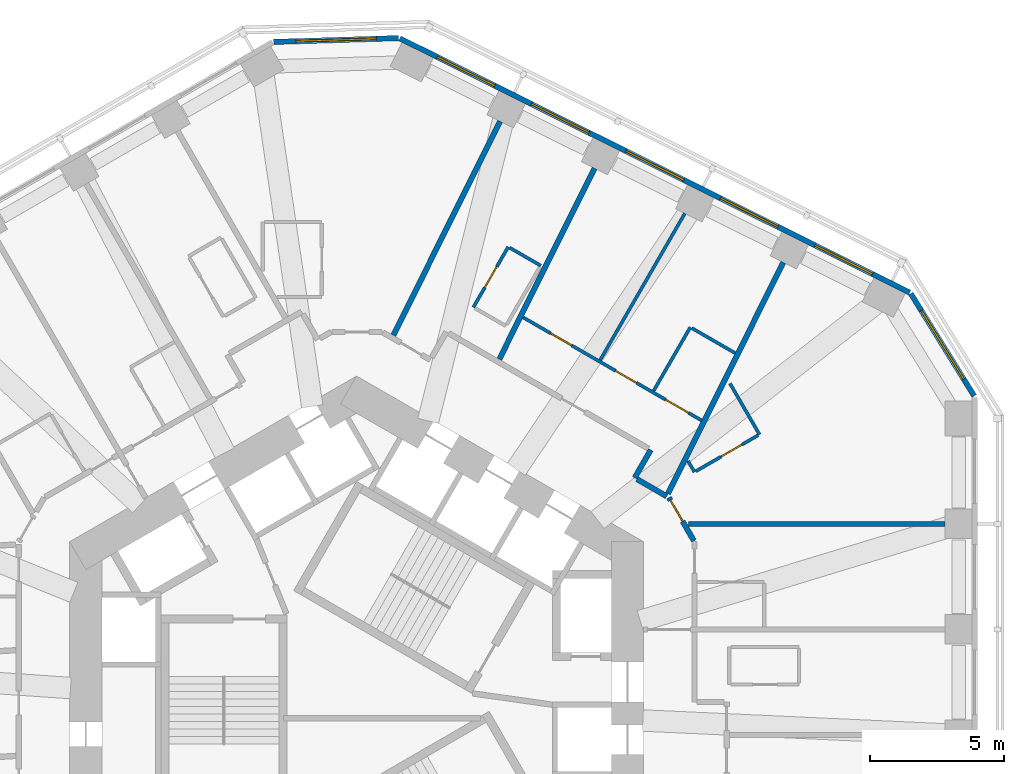
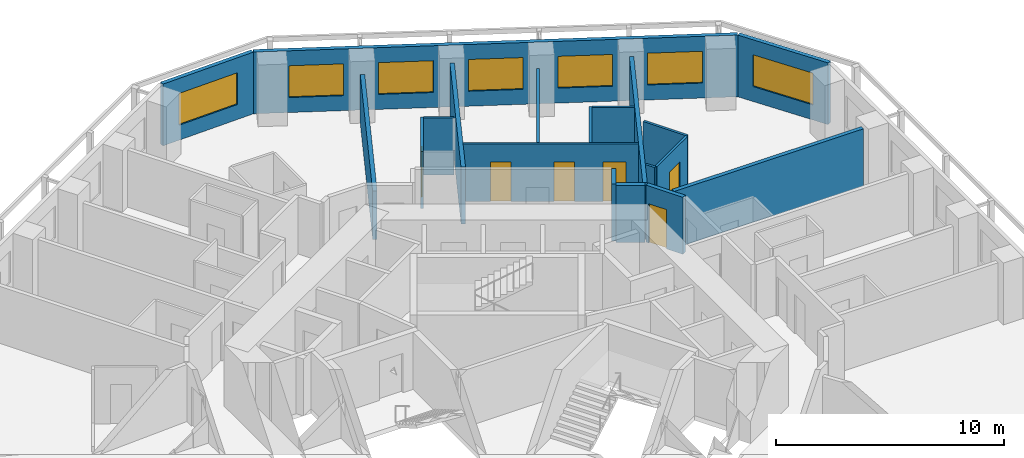
# One storey, part 9 of 12: 19 walls, 7 windows, 6 doors, 13 openings.
"""IFC4 building model written with IfcOpenShell, lengths in metres."""

from ifc_helpers import new_model, si_unit, direction, frame, frame_2d, origin, place, context, subcontext, project, spatial, rectangle, extrude, material, layer, layer_set, type_object, element, fill, save


model = new_model("IFC4")

# Units and contexts
model_context = context("Model", 3, precision=1e-05, world=origin(), true_north=direction((0.0, 1.0)))
body_context = subcontext(model_context, "Body", "Model", "MODEL_VIEW")
ifc_project = project(units=[si_unit("LENGTHUNIT", "METRE"), si_unit("AREAUNIT", "SQUARE_METRE"), si_unit("VOLUMEUNIT", "CUBIC_METRE"), si_unit("PLANEANGLEUNIT", "RADIAN"), si_unit("MASSUNIT", "GRAM", prefix="KILO")], contexts=[model_context])

# Site, building, storey
site_placement = place(None, origin())
site = spatial("IfcSite", under=ifc_project, at=site_placement, CompositionType="ELEMENT")
building_placement = place(site_placement, origin())
building = spatial("IfcBuilding", under=site, at=building_placement, Name="Vanh Sen Convention Tower", CompositionType="ELEMENT")
storey_placement = place(building_placement, frame((0.0, 0.0, 93.5)))
storey = spatial("IfcBuildingStorey", under=building, at=storey_placement, Name="L21", CompositionType="ELEMENT", Elevation=93.5)

# Wall, opening, door
ifc_material_1 = material(Name="Moisture-resistant gypsum board on steel studs", Category="steel")
ifc_layer_1 = layer(ifc_material_1, 0.1201171875)
ifc_layer_set_1 = layer_set([ifc_layer_1], Name="Moisture-resistant gypsum board on steel studs")
wall_type_1 = type_object("IfcWallType", Name="Bathroom partition 120", PredefinedType="PARTITIONING", material=ifc_layer_set_1)
wall_1_placement = place(storey_placement, frame((4.356201171875, 14.922119140625, 0.0), z_axis=(0.0, 0.0, 1.0), x_axis=(0.499936506574, 0.866062058628, 0.0)))
wall_1 = element("IfcWall", 1, at=wall_1_placement, inside=storey, type_object=wall_type_1, Name="Bathroom partition 120", PredefinedType="PARTITIONING", context=body_context, shape_type="SweptSolid", body=[
    extrude(rectangle(XDim=2.599853515625, YDim=0.1201171875, at=frame_2d((1.2998046875, 0.0))), origin(), (0.0, 0.0, 1.0), 3.050048828125),
])
opening_1_placement = place(wall_1_placement, frame((0.85009765625, 0.0, 0.0)))
opening_1 = element("IfcOpeningElement", 2, at=opening_1_placement, cuts=wall_1, Name="Opening D19114", PredefinedType="OPENING", context=body_context, shape_type="SweptSolid", body=[
    extrude(rectangle(XDim=0.89990234375, YDim=2.10009765625, at=frame_2d((0.449951171875, 1.050048828125))), frame((0.0, 0.070068359375, 0.0), z_axis=(0.0, -1.0, 0.0), x_axis=(1.0, 0.0, 0.0)), (0.0, 0.0, 1.0), 0.14013671875),
])
ifc_material_2 = material(Name="Laminate door in steel frame", Category="steel")
door_type_1 = type_object("IfcDoorType", Name="En-suite door 900", OperationType="SINGLE_SWING_LEFT", PredefinedType="DOOR", material=ifc_material_2)
door_1_placement = place(opening_1_placement, origin())
door_1 = element("IfcDoor", 3, at=door_1_placement, inside=storey, type_object=door_type_1, Name="En-suite door D19114", OperationType="SINGLE_SWING_LEFT", OverallHeight=2.10009765625, OverallWidth=0.89990234375, PredefinedType="DOOR", context=body_context, shape_type="SweptSolid", body=[
    extrude(rectangle(XDim=0.89990234375, YDim=2.10009765625, at=frame_2d((0.449951171875, 1.050048828125))), frame((0.0, 0.02490234375, 0.0), z_axis=(0.0, -1.0, 0.0), x_axis=(1.0, 0.0, 0.0)), (0.0, 0.0, 1.0), 0.050048828125),
])
fill(opening_1, door_1)

# Walls
wall_2_placement = place(storey_placement, frame((5.7080078125, 17.143798828125, 0.0), z_axis=(0.0, 0.0, 1.0), x_axis=(0.866082447003, -0.499901185229, 0.0)))
element("IfcWall", 4, at=wall_2_placement, inside=storey, type_object=wall_type_1, Name="Bathroom partition 120", PredefinedType="PARTITIONING", context=body_context, shape_type="SweptSolid", body=[
    extrude(rectangle(XDim=1.340087890625, YDim=0.1201171875, at=frame_2d((0.669921875, 0.0))), origin(), (0.0, 0.0, 1.0), 3.050048828125),
])
wall_3_placement = place(storey_placement, frame((12.2431640625, 18.422607421875, 0.0), z_axis=(0.0, 0.0, 1.0), x_axis=(-0.499993523031, -0.866029143232, 0.0)))
element("IfcWall", 5, at=wall_3_placement, inside=storey, type_object=wall_type_1, Name="Bathroom partition 120", PredefinedType="PARTITIONING", context=body_context, shape_type="SweptSolid", body=[
    extrude(rectangle(XDim=6.31494140625, YDim=0.1201171875, at=frame_2d((3.157470703125, 0.0))), origin(), (0.0, 0.0, 1.0), 2.60009765625),
])
wall_4_placement = place(storey_placement, frame((12.447509765625, 14.176513671875, 0.0), z_axis=(0.0, 0.0, 1.0), x_axis=(-0.500048966069, -0.865997131366, 0.0)))
element("IfcWall", 6, at=wall_4_placement, inside=storey, type_object=wall_type_1, Name="Bathroom partition 120", PredefinedType="PARTITIONING", context=body_context, shape_type="SweptSolid", body=[
    extrude(rectangle(XDim=2.739990234375, YDim=0.1201171875, at=frame_2d((1.3701171875, 0.0))), origin(), (0.0, 0.0, 1.0), 3.050048828125),
])
wall_5_placement = place(storey_placement, frame((12.600830078125, 8.776123046875, 0.0), z_axis=(0.0, 0.0, 1.0), x_axis=(-0.500166486798, 0.865929261247, 0.0)))
element("IfcWall", 7, at=wall_5_placement, inside=storey, type_object=wall_type_1, Name="Bathroom partition 120", PredefinedType="PARTITIONING", context=body_context, shape_type="SweptSolid", body=[
    extrude(rectangle(XDim=0.475830078125, YDim=0.1201171875, at=frame_2d((0.23779296875, 0.0))), origin(), (0.0, 0.0, 1.0), 3.050048828125),
])

# Wall, openings, doors
wall_6_placement = place(storey_placement, frame((12.8662109375, 10.70166015625, 0.0), z_axis=(0.0, 0.0, 1.0), x_axis=(-0.866023151433, 0.500003901167, 0.0)))
wall_6 = element("IfcWall", 8, at=wall_6_placement, inside=storey, type_object=wall_type_1, Name="Bathroom partition 120", PredefinedType="PARTITIONING", context=body_context, shape_type="SweptSolid", body=[
    extrude(rectangle(XDim=7.68408203125, YDim=0.1201171875, at=frame_2d((3.842041015625, 0.0))), origin(), (0.0, 0.0, 1.0), 3.050048828125),
])
opening_2_placement = place(wall_6_placement, frame((0.550048828125, 0.0, 0.0)))
opening_2 = element("IfcOpeningElement", 9, at=opening_2_placement, cuts=wall_6, Name="Opening D19110", PredefinedType="OPENING", context=body_context, shape_type="SweptSolid", body=[
    extrude(rectangle(XDim=1.0, YDim=2.10009765625, at=frame_2d((0.5, 1.050048828125))), frame((0.0, 0.070068359375, 0.0), z_axis=(0.0, -1.0, 0.0), x_axis=(1.0, 0.0, 0.0)), (0.0, 0.0, 1.0), 0.14013671875),
])
opening_3_placement = place(wall_6_placement, frame((2.800048828125, 0.0, 0.0)))
opening_3 = element("IfcOpeningElement", 10, at=opening_3_placement, cuts=wall_6, Name="Opening D19111", PredefinedType="OPENING", context=body_context, shape_type="SweptSolid", body=[
    extrude(rectangle(XDim=0.89990234375, YDim=2.10009765625, at=frame_2d((0.449951171875, 1.050048828125))), frame((0.0, 0.070068359375, 0.0), z_axis=(0.0, -1.0, 0.0), x_axis=(1.0, 0.0, 0.0)), (0.0, 0.0, 1.0), 0.14013671875),
])
opening_4_placement = place(wall_6_placement, frame((5.592041015625, 0.0, 0.0)))
opening_4 = element("IfcOpeningElement", 11, at=opening_4_placement, cuts=wall_6, Name="Opening D19112", PredefinedType="OPENING", context=body_context, shape_type="SweptSolid", body=[
    extrude(rectangle(XDim=0.89990234375, YDim=2.10009765625, at=frame_2d((0.449951171875, 1.050048828125))), frame((0.0, 0.070068359375, 0.0), z_axis=(0.0, -1.0, 0.0), x_axis=(1.0, 0.0, 0.0)), (0.0, 0.0, 1.0), 0.14013671875),
])
door_type_2 = type_object("IfcDoorType", Name="Accessible WC door 1000", OperationType="SINGLE_SWING_LEFT", PredefinedType="DOOR", material=ifc_material_2)
door_2_placement = place(opening_2_placement, origin())
door_2 = element("IfcDoor", 12, at=door_2_placement, inside=storey, type_object=door_type_2, Name="Accessible WC door D19110", OperationType="SINGLE_SWING_LEFT", OverallHeight=2.10009765625, OverallWidth=1.0, PredefinedType="DOOR", context=body_context, shape_type="SweptSolid", body=[
    extrude(rectangle(XDim=1.0, YDim=2.10009765625, at=frame_2d((0.5, 1.050048828125))), frame((0.0, 0.02490234375, 0.0), z_axis=(0.0, -1.0, 0.0), x_axis=(1.0, 0.0, 0.0)), (0.0, 0.0, 1.0), 0.050048828125),
])
fill(opening_2, door_2)
door_type_3 = type_object("IfcDoorType", Name="Room internal door 900", OperationType="SINGLE_SWING_LEFT", PredefinedType="DOOR", material=ifc_material_2)
door_3_placement = place(opening_3_placement, origin())
door_3 = element("IfcDoor", 13, at=door_3_placement, inside=storey, type_object=door_type_3, Name="Internal room door D19111", OperationType="SINGLE_SWING_LEFT", OverallHeight=2.10009765625, OverallWidth=0.89990234375, PredefinedType="DOOR", context=body_context, shape_type="SweptSolid", body=[
    extrude(rectangle(XDim=0.89990234375, YDim=2.10009765625, at=frame_2d((0.449951171875, 1.050048828125))), frame((0.0, 0.02490234375, 0.0), z_axis=(0.0, -1.0, 0.0), x_axis=(1.0, 0.0, 0.0)), (0.0, 0.0, 1.0), 0.050048828125),
])
fill(opening_3, door_3)
door_4_placement = place(opening_4_placement, origin())
door_4 = element("IfcDoor", 14, at=door_4_placement, inside=storey, type_object=door_type_3, Name="Internal room door D19112", OperationType="SINGLE_SWING_LEFT", OverallHeight=2.10009765625, OverallWidth=0.89990234375, PredefinedType="DOOR", context=body_context, shape_type="SweptSolid", body=[
    extrude(rectangle(XDim=0.89990234375, YDim=2.10009765625, at=frame_2d((0.449951171875, 1.050048828125))), frame((0.0, 0.02490234375, 0.0), z_axis=(0.0, -1.0, 0.0), x_axis=(1.0, 0.0, 0.0)), (0.0, 0.0, 1.0), 0.050048828125),
])
fill(opening_4, door_4)

# Walls
wall_7_placement = place(storey_placement, frame((13.92578125, 12.081298828125, 0.0), z_axis=(0.0, 0.0, 1.0), x_axis=(0.499994660107, -0.866028486751, 0.0)))
element("IfcWall", 15, at=wall_7_placement, inside=storey, type_object=wall_type_1, Name="Bathroom partition 120", PredefinedType="PARTITIONING", context=body_context, shape_type="SweptSolid", body=[
    extrude(rectangle(XDim=2.19970703125, YDim=0.1201171875, at=frame_2d((1.099853515625, 0.0))), origin(), (0.0, 0.0, 1.0), 3.050048828125),
])
wall_8_placement = place(storey_placement, frame((14.117919921875, 13.212158203125, 0.0), z_axis=(0.0, 0.0, 1.0), x_axis=(-0.866039825209, 0.499975020527, 0.0)))
element("IfcWall", 16, at=wall_8_placement, inside=storey, type_object=wall_type_1, Name="Bathroom partition 120", PredefinedType="PARTITIONING", context=body_context, shape_type="SweptSolid", body=[
    extrude(rectangle(XDim=1.86865234375, YDim=0.1201171875, at=frame_2d((0.934326171875, 0.0))), origin(), (0.0, 0.0, 1.0), 3.050048828125),
])

# Wall, opening, door
wall_9_placement = place(storey_placement, frame((14.9736328125, 10.146240234375, 0.0), z_axis=(0.0, 0.0, 1.0), x_axis=(-0.86599746015, -0.500048396672, 0.0)))
wall_9 = element("IfcWall", 17, at=wall_9_placement, inside=storey, type_object=wall_type_1, Name="Bathroom partition 120", PredefinedType="PARTITIONING", context=body_context, shape_type="SweptSolid", body=[
    extrude(rectangle(XDim=2.679931640625, YDim=0.1201171875, at=frame_2d((1.33984375, 0.0))), origin(), (0.0, 0.0, 1.0), 3.050048828125),
])
opening_5_placement = place(wall_9_placement, frame((0.68994140625, 0.0, 0.0)))
opening_5 = element("IfcOpeningElement", 18, at=opening_5_placement, cuts=wall_9, Name="Opening D19108", PredefinedType="OPENING", context=body_context, shape_type="SweptSolid", body=[
    extrude(rectangle(XDim=0.89990234375, YDim=2.10009765625, at=frame_2d((0.449951171875, 1.050048828125))), frame((0.0, 0.070068359375, 0.0), z_axis=(0.0, -1.0, 0.0), x_axis=(1.0, 0.0, 0.0)), (0.0, 0.0, 1.0), 0.14013671875),
])
door_5_placement = place(opening_5_placement, origin())
door_5 = element("IfcDoor", 19, at=door_5_placement, inside=storey, type_object=door_type_1, Name="En-suite door D19108", OperationType="SINGLE_SWING_LEFT", OverallHeight=2.10009765625, OverallWidth=0.89990234375, PredefinedType="DOOR", context=body_context, shape_type="SweptSolid", body=[
    extrude(rectangle(XDim=0.89990234375, YDim=2.10009765625, at=frame_2d((0.449951171875, 1.050048828125))), frame((0.0, 0.02490234375, 0.0), z_axis=(0.0, -1.0, 0.0), x_axis=(1.0, 0.0, 0.0)), (0.0, 0.0, 1.0), 0.050048828125),
])
fill(opening_5, door_5)

# Walls
ifc_material_3 = material(Name="Gypsum board on steel studs with mineral wool", Category="steel")
ifc_layer_2 = layer(ifc_material_3, 0.199951171875)
ifc_layer_set_2 = layer_set([ifc_layer_2], Name="Gypsum board on steel studs with mineral wool")
wall_type_2 = type_object("IfcWallType", Name="Corridor partition wall 200", PredefinedType="PARTITIONING", material=ifc_layer_set_2)
wall_10_placement = place(storey_placement, frame((10.37109375, 8.561279296875, 0.0), z_axis=(0.0, 0.0, 1.0), x_axis=(0.499986357472, 0.866033280158, 0.0)))
element("IfcWall", 20, at=wall_10_placement, inside=storey, type_object=wall_type_2, Name="Corridor partition wall 200", PredefinedType="PARTITIONING", context=body_context, shape_type="SweptSolid", body=[
    extrude(rectangle(XDim=1.201171875, YDim=0.199951171875, at=frame_2d((0.6005859375, 0.0))), origin(), (0.0, 0.0, 1.0), 3.050048828125),
])
wall_11_placement = place(storey_placement, frame((11.56640625, 7.871337890625, 0.0), z_axis=(0.0, 0.0, 1.0), x_axis=(-0.866004557827, 0.500036104519, 0.0)))
element("IfcWall", 21, at=wall_11_placement, inside=storey, type_object=wall_type_2, Name="Corridor partition wall 200", PredefinedType="PARTITIONING", context=body_context, shape_type="SweptSolid", body=[
    extrude(rectangle(XDim=1.2802734375, YDim=0.199951171875, at=frame_2d((0.64013671875, 0.0))), origin(), (0.0, 0.0, 1.0), 3.050048828125),
])

# Wall, opening, door
wall_12_placement = place(storey_placement, frame((12.580078125, 6.212158203125, 0.0), z_axis=(0.0, 0.0, 1.0), x_axis=(-0.500063286585, 0.865988862174, 0.0)))
wall_12 = element("IfcWall", 22, at=wall_12_placement, inside=storey, type_object=wall_type_2, Name="Corridor partition wall 200", PredefinedType="PARTITIONING", context=body_context, shape_type="SweptSolid", body=[
    extrude(rectangle(XDim=1.860107421875, YDim=0.199951171875, at=frame_2d((0.93017578125, 0.0))), origin(), (0.0, 0.0, 1.0), 3.050048828125),
])
opening_6_placement = place(wall_12_placement, frame((0.841796875, 0.0, 0.0)))
opening_6 = element("IfcOpeningElement", 23, at=opening_6_placement, cuts=wall_12, Name="Opening D19107", PredefinedType="OPENING", context=body_context, shape_type="SweptSolid", body=[
    extrude(rectangle(XDim=0.89990234375, YDim=2.10009765625, at=frame_2d((0.449951171875, 1.050048828125))), frame((0.0, 0.10986328125, 0.0), z_axis=(0.0, -1.0, 0.0), x_axis=(1.0, 0.0, 0.0)), (0.0, 0.0, 1.0), 0.219970703125),
])
ifc_material_4 = material(Name="Timber fire door in steel frame", Category="steel")
door_type_4 = type_object("IfcDoorType", Name="Guest room door 900", OperationType="SINGLE_SWING_LEFT", PredefinedType="DOOR", material=ifc_material_4)
door_6_placement = place(opening_6_placement, origin())
door_6 = element("IfcDoor", 24, at=door_6_placement, inside=storey, type_object=door_type_4, Name="Hotel guest room door D19107", OperationType="SINGLE_SWING_LEFT", OverallHeight=2.10009765625, OverallWidth=0.89990234375, PredefinedType="DOOR", context=body_context, shape_type="SweptSolid", body=[
    extrude(rectangle(XDim=0.89990234375, YDim=2.10009765625, at=frame_2d((0.449951171875, 1.050048828125))), frame((0.0, 0.02490234375, 0.0), z_axis=(0.0, -1.0, 0.0), x_axis=(1.0, 0.0, 0.0)), (0.0, 0.0, 1.0), 0.050048828125),
])
fill(opening_6, door_6)

# Wall, opening, window
ifc_material_5 = material(Name="Insulated lightweight infill wall")
ifc_layer_3 = layer(ifc_material_5, 0.199951171875)
ifc_layer_set_3 = layer_set([ifc_layer_3], Name="Insulated lightweight infill wall")
wall_type_3 = type_object("IfcWallType", Name="External wall 200", PredefinedType="STANDARD", material=ifc_layer_set_3)
wall_13_placement = place(storey_placement, frame((23.034912109375, 11.612060546875, 0.0), z_axis=(0.0, 0.0, 1.0), x_axis=(-0.526160091227, 0.850385535155, 0.0)))
wall_13 = element("IfcWall", 25, at=wall_13_placement, inside=storey, type_object=wall_type_3, Name="External wall CH1 L21", PredefinedType="STANDARD", context=body_context, shape_type="SweptSolid", body=[
    extrude(rectangle(XDim=4.493896484375, YDim=0.199951171875, at=frame_2d((2.2470703125, 0.0))), origin(), (0.0, 0.0, 1.0), 3.300048828125),
])
opening_7_placement = place(wall_13_placement, frame((0.746826171875, 0.0, 0.800048828125)))
opening_7 = element("IfcOpeningElement", 26, at=opening_7_placement, cuts=wall_13, Name="Opening WH2-CH11", PredefinedType="OPENING", context=body_context, shape_type="SweptSolid", body=[
    extrude(rectangle(XDim=3.0, YDim=1.699951171875, at=frame_2d((1.5, 0.85009765625))), frame((0.0, 0.10986328125, 0.0), z_axis=(0.0, -1.0, 0.0), x_axis=(1.0, 0.0, 0.0)), (0.0, 0.0, 1.0), 0.219970703125),
])
ifc_material_6 = material(Name="Aluminium frame with clear low-emissivity glass", Category="aluminium")
window_type_1 = type_object("IfcWindowType", Name="Hotel window 3000 x 1700", PartitioningType="SINGLE_PANEL", PredefinedType="WINDOW", material=ifc_material_6)
window_1_placement = place(opening_7_placement, origin())
window_1 = element("IfcWindow", 27, at=window_1_placement, inside=storey, type_object=window_type_1, Name="Window WH2-CH11", OverallHeight=1.699951171875, OverallWidth=3.0, PartitioningType="SINGLE_PANEL", PredefinedType="WINDOW", context=body_context, shape_type="SweptSolid", body=[
    extrude(rectangle(XDim=3.0, YDim=1.699951171875, at=frame_2d((1.5, 0.85009765625))), frame((0.0, 0.030029296875, 0.0), z_axis=(0.0, -1.0, 0.0), x_axis=(1.0, 0.0, 0.0)), (0.0, 0.0, 1.0), 0.06005859375),
])
fill(opening_7, window_1)

# Wall, openings, windows
wall_14_placement = place(storey_placement, frame((20.6298828125, 15.470458984375, 0.0), z_axis=(0.0, 0.0, 1.0), x_axis=(-0.894934518609, 0.446197498203, 0.0)))
wall_14 = element("IfcWall", 28, at=wall_14_placement, inside=storey, type_object=wall_type_3, Name="External wall NE L21", PredefinedType="STANDARD", context=body_context, shape_type="SweptSolid", body=[
    extrude(rectangle(XDim=21.24609375, YDim=0.199951171875, at=frame_2d((10.623046875, 0.0))), origin(), (0.0, 0.0, 1.0), 3.300048828125),
])
opening_8_placement = place(wall_14_placement, frame((1.552978515625, 0.0, 0.800048828125)))
opening_8 = element("IfcOpeningElement", 29, at=opening_8_placement, cuts=wall_14, Name="Opening WH1-NE1", PredefinedType="OPENING", context=body_context, shape_type="SweptSolid", body=[
    extrude(rectangle(XDim=2.39990234375, YDim=1.699951171875, at=frame_2d((1.199951171875, 0.85009765625))), frame((0.0, 0.10986328125, 0.0), z_axis=(0.0, -1.0, 0.0), x_axis=(1.0, 0.0, 0.0)), (0.0, 0.0, 1.0), 0.219970703125),
])
opening_9_placement = place(wall_14_placement, frame((5.48779296875, 0.0, 0.800048828125)))
opening_9 = element("IfcOpeningElement", 30, at=opening_9_placement, cuts=wall_14, Name="Opening WH1-NE2", PredefinedType="OPENING", context=body_context, shape_type="SweptSolid", body=[
    extrude(rectangle(XDim=2.39990234375, YDim=1.699951171875, at=frame_2d((1.199951171875, 0.85009765625))), frame((0.0, 0.10986328125, 0.0), z_axis=(0.0, -1.0, 0.0), x_axis=(1.0, 0.0, 0.0)), (0.0, 0.0, 1.0), 0.219970703125),
])
opening_10_placement = place(wall_14_placement, frame((9.42236328125, 0.0, 0.800048828125)))
opening_10 = element("IfcOpeningElement", 31, at=opening_10_placement, cuts=wall_14, Name="Opening WH1-NE3", PredefinedType="OPENING", context=body_context, shape_type="SweptSolid", body=[
    extrude(rectangle(XDim=2.39990234375, YDim=1.699951171875, at=frame_2d((1.199951171875, 0.85009765625))), frame((0.0, 0.10986328125, 0.0), z_axis=(0.0, -1.0, 0.0), x_axis=(1.0, 0.0, 0.0)), (0.0, 0.0, 1.0), 0.219970703125),
])
opening_11_placement = place(wall_14_placement, frame((13.35693359375, 0.0, 0.800048828125)))
opening_11 = element("IfcOpeningElement", 32, at=opening_11_placement, cuts=wall_14, Name="Opening WH1-NE4", PredefinedType="OPENING", context=body_context, shape_type="SweptSolid", body=[
    extrude(rectangle(XDim=2.39990234375, YDim=1.699951171875, at=frame_2d((1.199951171875, 0.85009765625))), frame((0.0, 0.10986328125, 0.0), z_axis=(0.0, -1.0, 0.0), x_axis=(1.0, 0.0, 0.0)), (0.0, 0.0, 1.0), 0.219970703125),
])
opening_12_placement = place(wall_14_placement, frame((17.29150390625, 0.0, 0.800048828125)))
opening_12 = element("IfcOpeningElement", 33, at=opening_12_placement, cuts=wall_14, Name="Opening WH1-NE5", PredefinedType="OPENING", context=body_context, shape_type="SweptSolid", body=[
    extrude(rectangle(XDim=2.39990234375, YDim=1.699951171875, at=frame_2d((1.199951171875, 0.85009765625))), frame((0.0, 0.10986328125, 0.0), z_axis=(0.0, -1.0, 0.0), x_axis=(1.0, 0.0, 0.0)), (0.0, 0.0, 1.0), 0.219970703125),
])
window_type_2 = type_object("IfcWindowType", Name="Hotel window 2400 x 1700", PartitioningType="SINGLE_PANEL", PredefinedType="WINDOW", material=ifc_material_6)
window_2_placement = place(opening_8_placement, origin())
window_2 = element("IfcWindow", 34, at=window_2_placement, inside=storey, type_object=window_type_2, Name="Window WH1-NE1", OverallHeight=1.699951171875, OverallWidth=2.39990234375, PartitioningType="SINGLE_PANEL", PredefinedType="WINDOW", context=body_context, shape_type="SweptSolid", body=[
    extrude(rectangle(XDim=2.39990234375, YDim=1.699951171875, at=frame_2d((1.199951171875, 0.85009765625))), frame((0.0, 0.030029296875, 0.0), z_axis=(0.0, -1.0, 0.0), x_axis=(1.0, 0.0, 0.0)), (0.0, 0.0, 1.0), 0.06005859375),
])
fill(opening_8, window_2)
window_3_placement = place(opening_9_placement, origin())
window_3 = element("IfcWindow", 35, at=window_3_placement, inside=storey, type_object=window_type_2, Name="Window WH1-NE2", OverallHeight=1.699951171875, OverallWidth=2.39990234375, PartitioningType="SINGLE_PANEL", PredefinedType="WINDOW", context=body_context, shape_type="SweptSolid", body=[
    extrude(rectangle(XDim=2.39990234375, YDim=1.699951171875, at=frame_2d((1.199951171875, 0.85009765625))), frame((0.0, 0.030029296875, 0.0), z_axis=(0.0, -1.0, 0.0), x_axis=(1.0, 0.0, 0.0)), (0.0, 0.0, 1.0), 0.06005859375),
])
fill(opening_9, window_3)
window_4_placement = place(opening_10_placement, origin())
window_4 = element("IfcWindow", 36, at=window_4_placement, inside=storey, type_object=window_type_2, Name="Window WH1-NE3", OverallHeight=1.699951171875, OverallWidth=2.39990234375, PartitioningType="SINGLE_PANEL", PredefinedType="WINDOW", context=body_context, shape_type="SweptSolid", body=[
    extrude(rectangle(XDim=2.39990234375, YDim=1.699951171875, at=frame_2d((1.199951171875, 0.85009765625))), frame((0.0, 0.030029296875, 0.0), z_axis=(0.0, -1.0, 0.0), x_axis=(1.0, 0.0, 0.0)), (0.0, 0.0, 1.0), 0.06005859375),
])
fill(opening_10, window_4)
window_5_placement = place(opening_11_placement, origin())
window_5 = element("IfcWindow", 37, at=window_5_placement, inside=storey, type_object=window_type_2, Name="Window WH1-NE4", OverallHeight=1.699951171875, OverallWidth=2.39990234375, PartitioningType="SINGLE_PANEL", PredefinedType="WINDOW", context=body_context, shape_type="SweptSolid", body=[
    extrude(rectangle(XDim=2.39990234375, YDim=1.699951171875, at=frame_2d((1.199951171875, 0.85009765625))), frame((0.0, 0.030029296875, 0.0), z_axis=(0.0, -1.0, 0.0), x_axis=(1.0, 0.0, 0.0)), (0.0, 0.0, 1.0), 0.06005859375),
])
fill(opening_11, window_5)
window_6_placement = place(opening_12_placement, origin())
window_6 = element("IfcWindow", 38, at=window_6_placement, inside=storey, type_object=window_type_2, Name="Window WH1-NE5", OverallHeight=1.699951171875, OverallWidth=2.39990234375, PartitioningType="SINGLE_PANEL", PredefinedType="WINDOW", context=body_context, shape_type="SweptSolid", body=[
    extrude(rectangle(XDim=2.39990234375, YDim=1.699951171875, at=frame_2d((1.199951171875, 0.85009765625))), frame((0.0, 0.030029296875, 0.0), z_axis=(0.0, -1.0, 0.0), x_axis=(1.0, 0.0, 0.0)), (0.0, 0.0, 1.0), 0.06005859375),
])
fill(opening_12, window_6)

# Wall, opening, window
wall_15_placement = place(storey_placement, frame((1.568359375, 24.9609375, 0.0), z_axis=(0.0, 0.0, 1.0), x_axis=(-0.999533359013, -0.030546099927, 0.0)))
wall_15 = element("IfcWall", 39, at=wall_15_placement, inside=storey, type_object=wall_type_3, Name="External wall CH2 L21", PredefinedType="STANDARD", context=body_context, shape_type="SweptSolid", body=[
    extrude(rectangle(XDim=4.65966796875, YDim=0.199951171875, at=frame_2d((2.329833984375, 0.0))), origin(), (0.0, 0.0, 1.0), 3.300048828125),
])
opening_13_placement = place(wall_15_placement, frame((0.829833984375, 0.0, 0.800048828125)))
opening_13 = element("IfcOpeningElement", 40, at=opening_13_placement, cuts=wall_15, Name="Opening WH2-CH21", PredefinedType="OPENING", context=body_context, shape_type="SweptSolid", body=[
    extrude(rectangle(XDim=3.0, YDim=1.699951171875, at=frame_2d((1.5, 0.85009765625))), frame((0.0, 0.10986328125, 0.0), z_axis=(0.0, -1.0, 0.0), x_axis=(1.0, 0.0, 0.0)), (0.0, 0.0, 1.0), 0.219970703125),
])
window_7_placement = place(opening_13_placement, origin())
window_7 = element("IfcWindow", 41, at=window_7_placement, inside=storey, type_object=window_type_1, Name="Window WH2-CH21", OverallHeight=1.699951171875, OverallWidth=3.0, PartitioningType="SINGLE_PANEL", PredefinedType="WINDOW", context=body_context, shape_type="SweptSolid", body=[
    extrude(rectangle(XDim=3.0, YDim=1.699951171875, at=frame_2d((1.5, 0.85009765625))), frame((0.0, 0.030029296875, 0.0), z_axis=(0.0, -1.0, 0.0), x_axis=(1.0, 0.0, 0.0)), (0.0, 0.0, 1.0), 0.06005859375),
])
fill(opening_13, window_7)

# Walls
ifc_layer_4 = layer(ifc_material_3, 0.199951171875)
ifc_layer_set_4 = layer_set([ifc_layer_4], Name="Gypsum board on steel studs with mineral wool")
wall_type_4 = type_object("IfcWallType", Name="Hotel party wall 200", PredefinedType="PARTITIONING", material=ifc_layer_set_4)
wall_16_placement = place(storey_placement, frame((5.35107421875, 21.859130859375, 0.0), z_axis=(0.0, 0.0, 1.0), x_axis=(-0.446205309328, -0.894930624086, 0.0)))
element("IfcWall", 42, at=wall_16_placement, inside=storey, type_object=wall_type_4, Name="Hotel party wall 200", PredefinedType="PARTITIONING", context=body_context, shape_type="SweptSolid", body=[
    extrude(rectangle(XDim=8.9130859375, YDim=0.199951171875, at=frame_2d((4.45654296875, 0.0))), origin(), (0.0, 0.0, 1.0), 2.60009765625),
])
wall_17_placement = place(storey_placement, frame((8.872314453125, 20.103515625, 0.0), z_axis=(0.0, 0.0, 1.0), x_axis=(-0.446218378653, -0.894924107706, 0.0)))
element("IfcWall", 43, at=wall_17_placement, inside=storey, type_object=wall_type_4, Name="Hotel party wall 200", PredefinedType="PARTITIONING", context=body_context, shape_type="SweptSolid", body=[
    extrude(rectangle(XDim=7.950439453125, YDim=0.199951171875, at=frame_2d((3.97509765625, 0.0))), origin(), (0.0, 0.0, 1.0), 3.050048828125),
])
wall_18_placement = place(storey_placement, frame((15.91455078125, 16.59228515625, 0.0), z_axis=(0.0, 0.0, 1.0), x_axis=(-0.446199736347, -0.894933402709, 0.0)))
element("IfcWall", 44, at=wall_18_placement, inside=storey, type_object=wall_type_4, Name="Hotel party wall 200", PredefinedType="PARTITIONING", context=body_context, shape_type="SweptSolid", body=[
    extrude(rectangle(XDim=9.634765625, YDim=0.199951171875, at=frame_2d((4.8173828125, 0.0))), origin(), (0.0, 0.0, 1.0), 3.050048828125),
])
wall_19_placement = place(storey_placement, frame((21.949951171875, 6.839111328125, 0.0), z_axis=(0.0, 0.0, 1.0), x_axis=(-1.0, 0.0, 0.0)))
element("IfcWall", 45, at=wall_19_placement, inside=storey, type_object=wall_type_4, Name="Hotel party wall 200", PredefinedType="PARTITIONING", context=body_context, shape_type="SweptSolid", body=[
    extrude(rectangle(XDim=9.57177734375, YDim=0.199951171875, at=frame_2d((4.785888671875, 0.0))), origin(), (0.0, 0.0, 1.0), 3.050048828125),
])

save(model, "model.ifc")
